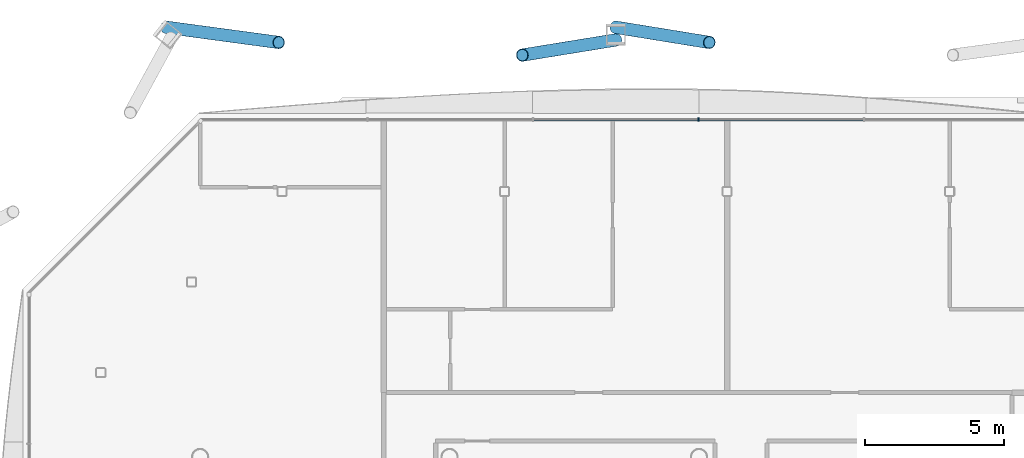
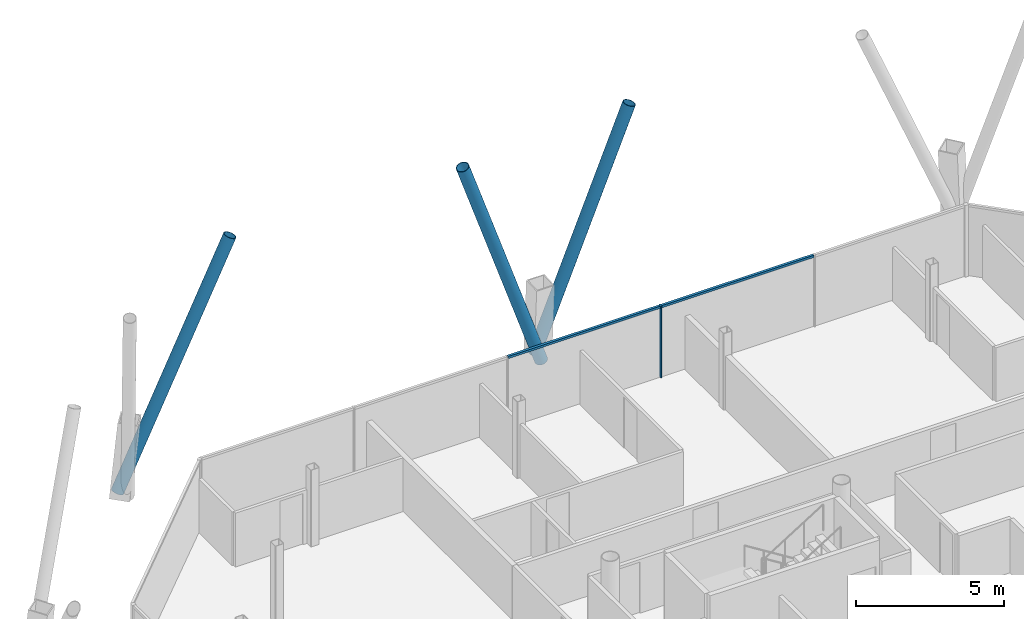
# One storey, part 10 of 21: 6 members, 1 element without a shape of its own.
"""IFC4 building model written with IfcOpenShell, lengths in metres."""

from ifc_helpers import new_model, si_unit, direction, frame, origin, origin_2d, place, context, subcontext, project, spatial, rectangle, hollow_circle, extrude, material, material_profile, profile_set, type_object, element, aggregate, save


model = new_model("IFC4")

# Units and contexts
model_context = context("Model", 3, precision=1e-05, world=origin(), true_north=direction((0.0, 1.0)))
body_context = subcontext(model_context, "Body", "Model", "MODEL_VIEW")
ifc_project = project(units=[si_unit("LENGTHUNIT", "METRE"), si_unit("AREAUNIT", "SQUARE_METRE"), si_unit("VOLUMEUNIT", "CUBIC_METRE"), si_unit("PLANEANGLEUNIT", "RADIAN"), si_unit("MASSUNIT", "GRAM", prefix="KILO")], contexts=[model_context])

# Site, building, storey
site_placement = place(None, origin())
site = spatial("IfcSite", under=ifc_project, at=site_placement, CompositionType="ELEMENT")
building_placement = place(site_placement, origin())
building = spatial("IfcBuilding", under=site, at=building_placement, Name="Tskaro Facet Tower", CompositionType="ELEMENT")
storey_placement = place(building_placement, frame((0.0, 0.0, 172.199951171875)))
storey = spatial("IfcBuildingStorey", under=building, at=storey_placement, Name="L42", CompositionType="ELEMENT", Elevation=172.199951171875)

# Members
ifc_material_1 = material(Name="Steel S355J2H", Category="steel")
ifc_material_profile_1 = material_profile(ifc_material_1, hollow_circle(Radius=0.228515625, WallThickness=0.02001953125, at=origin_2d()), Name="CHS 457x20")
ifc_profile_set_1 = profile_set([ifc_material_profile_1], Name="Steel S355J2H")
member_type_1 = type_object("IfcMemberType", Name="CHS 457x20 brace", PredefinedType="BRACE", material=ifc_profile_set_1)
for number, where, z_axis, x_axis, name in (
    (1, (-3.0, 24.50439453125, 0.0), (0.33577356224, -0.054492446285, 0.940365188743), (0.160193408806, 0.987085645613, 0.0), "CHS 457x20 XB07B/4"),
    (2, (-3.0, 24.047607421875, 0.0), (-0.335773117623, -0.054516668544, 0.940363943552), (0.16026299412, -0.987074350146, 0.0), "CHS 457x20 XB08A/4"),
):
    element("IfcMember", number, at=place(storey_placement, frame(where, z_axis=z_axis, x_axis=x_axis)), inside=storey, type_object=member_type_1, Name=name, PredefinedType="BRACE", context=body_context, shape_type="SweptSolid", body=[
        extrude(hollow_circle(Radius=0.228515625, WallThickness=0.02001953125, at=origin_2d()), origin(), (0.0, 0.0, 1.0), 10.04931640625),
    ])
member_1_placement = place(storey_placement, frame((-19.216064453125, 24.50439453125, 0.0), z_axis=(0.393688073159, -0.053179304312, 0.917704561744), x_axis=(0.133864037519, 0.990999707093, 0.0)))
element("IfcMember", 3, at=member_1_placement, inside=storey, type_object=member_type_1, Name="CHS 457x20 XB08B/4", PredefinedType="BRACE", context=body_context, shape_type="SweptSolid", body=[
    extrude(hollow_circle(Radius=0.228515625, WallThickness=0.02001953125, at=origin_2d()), origin(), (0.0, 0.0, 1.0), 10.29736328125),
])

# Curtain wall, members
ifc_material_2 = material(Name="Bronze anodised aluminium 6063-T6", Category="aluminium")
curtain_wall_type = type_object("IfcCurtainWallType", Name="Bronze residence curtain wall (FW3)", PredefinedType="NOTDEFINED", material=ifc_material_2)
curtain_wall_placement = place(storey_placement, origin())
curtain_wall = element("IfcCurtainWall", 4, at=curtain_wall_placement, inside=storey, type_object=curtain_wall_type, Name="FW3 north facet L42", PredefinedType="NOTDEFINED")
ifc_material_profile_2 = material_profile(ifc_material_2, rectangle(XDim=0.050048828125, YDim=0.139892578125, at=origin_2d()), Name="Mullion 50x140")
ifc_profile_set_2 = profile_set([ifc_material_profile_2], Name="Bronze anodised aluminium 6063-T6")
member_type_2 = type_object("IfcMemberType", Name="FW3 bronze mullion 50x140", PredefinedType="MULLION", material=ifc_profile_set_2)
member_2_placement = place(storey_placement, frame((-0.013916015625, 21.176025390625, 0.0), z_axis=(0.0, 0.0, 1.0), x_axis=(-1.0, 0.0, 0.0)))
member_2 = element("IfcMember", 5, at=member_2_placement, type_object=member_type_2, Name="FW3 north mullion 2", PredefinedType="MULLION", context=body_context, shape_type="SweptSolid", body=[
    extrude(rectangle(XDim=0.050048828125, YDim=0.139892578125, at=origin_2d()), origin(), (0.0, 0.0, 1.0), 2.949951171875),
])
ifc_material_profile_3 = material_profile(ifc_material_2, rectangle(XDim=0.10009765625, YDim=0.090087890625, at=origin_2d()), Name="Transom 100x90")
ifc_profile_set_3 = profile_set([ifc_material_profile_3], Name="Bronze anodised aluminium 6063-T6")
member_type_3 = type_object("IfcMemberType", Name="FW3 bronze transom 100x90", PredefinedType="USERDEFINED", material=ifc_profile_set_3)
member_3_placement = place(storey_placement, frame((5.93359375, 21.176025390625, 2.905029296875), z_axis=(-1.0, 0.0, 0.0), x_axis=(0.0, -1.0, 0.0)))
member_3 = element("IfcMember", 6, at=member_3_placement, type_object=member_type_3, Name="FW3 north transom 2.1", ObjectType="TRANSOM", PredefinedType="USERDEFINED", context=body_context, shape_type="SweptSolid", body=[
    extrude(rectangle(XDim=0.10009765625, YDim=0.090087890625, at=origin_2d()), origin(), (0.0, 0.0, 1.0), 5.92236328125),
])
member_4_placement = place(storey_placement, frame((-0.038818359375, 21.176025390625, 2.905029296875), z_axis=(-1.0, 0.0, 0.0), x_axis=(0.0, -1.0, 0.0)))
member_4 = element("IfcMember", 7, at=member_4_placement, type_object=member_type_3, Name="FW3 north transom 3.1", ObjectType="TRANSOM", PredefinedType="USERDEFINED", context=body_context, shape_type="SweptSolid", body=[
    extrude(rectangle(XDim=0.10009765625, YDim=0.090087890625, at=origin_2d()), origin(), (0.0, 0.0, 1.0), 5.92236328125),
])
aggregate(curtain_wall, [member_2, member_3, member_4])

save(model, "model.ifc")
